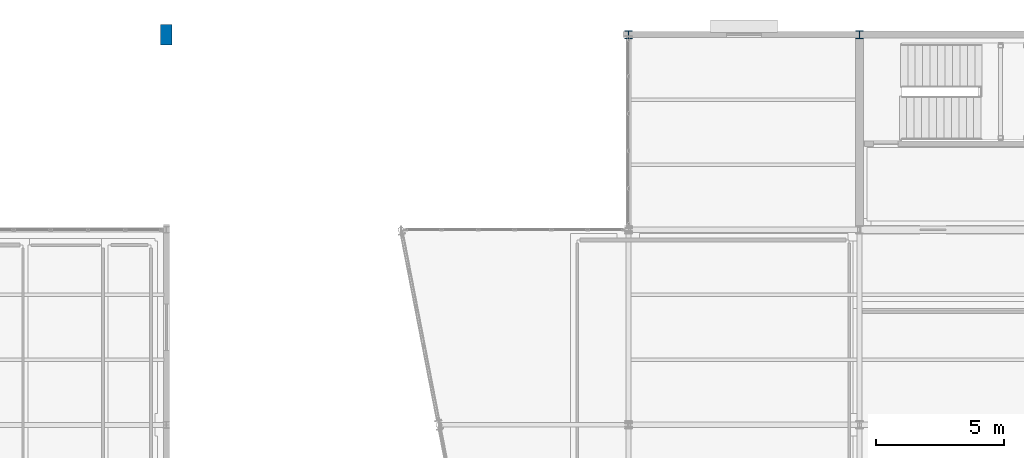
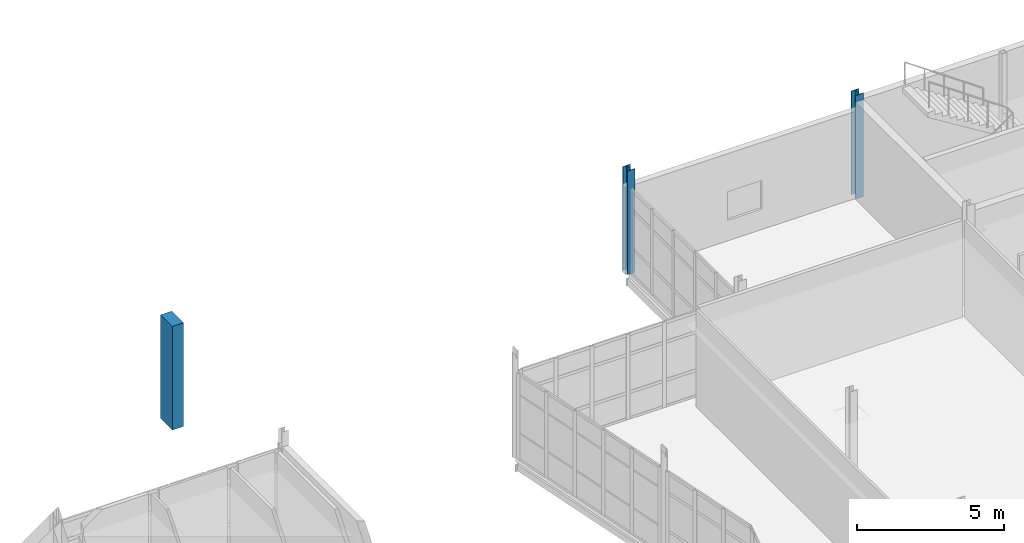
# One storey, part 18 of 166: 3 columns.
"""IFC4 building model written with IfcOpenShell, lengths in metres."""

from ifc_helpers import new_model, si_unit, direction, frame, origin, origin_2d, place, context, subcontext, project, spatial, rectangle, i_section, extrude, material, material_profile, profile_set, type_object, element, save


model = new_model("IFC4")

# Units and contexts
model_context = context("Model", 3, precision=1e-05, world=origin(), true_north=direction((0.0, 1.0)))
body_context = subcontext(model_context, "Body", "Model", "MODEL_VIEW")
ifc_project = project(units=[si_unit("LENGTHUNIT", "METRE"), si_unit("AREAUNIT", "SQUARE_METRE"), si_unit("VOLUMEUNIT", "CUBIC_METRE"), si_unit("PLANEANGLEUNIT", "RADIAN"), si_unit("MASSUNIT", "GRAM", prefix="KILO")], contexts=[model_context])

# Site, building, storey
site_placement = place(None, origin())
site = spatial("IfcSite", under=ifc_project, at=site_placement, CompositionType="ELEMENT")
building_placement = place(site_placement, origin())
building = spatial("IfcBuilding", under=site, at=building_placement, Name="Caisbarro Railhouse Central Library", CompositionType="ELEMENT")
storey_placement = place(building_placement, frame((0.0, 0.0, 9.360107421875)))
storey = spatial("IfcBuildingStorey", under=building, at=storey_placement, Name="L02", CompositionType="ELEMENT", Elevation=9.360107421875)

# Columns
ifc_material_1 = material(Name="Steel ASTM A572 Grade 50", Category="steel")
ifc_material_profile_1 = material_profile(ifc_material_1, i_section(OverallWidth=0.305908203125, OverallDepth=0.31103515625, WebThickness=0.010986328125, FlangeThickness=0.01708984375, FilletRadius=0.014892578125, at=origin_2d()), Name="W310X107.0")
ifc_profile_set_1 = profile_set([ifc_material_profile_1], Name="Steel ASTM A572 Grade 50")
column_type_1 = type_object("IfcColumnType", Name="COL-C06", PredefinedType="COLUMN", material=ifc_profile_set_1)
for number, where, z_axis, x_axis, name in (
    (1, (117.0, 114.0, 0.0), (0.0, 0.0, 1.0), (1.0, 0.0, 0.0), "C06 column L02 (117.0,114.0)"),
    (2, (126.0, 114.0, 0.0), (0.0, 0.0, 1.0), (1.0, 0.0, 0.0), "C06 column L02 (126.0,114.0)"),
):
    element("IfcColumn", number, at=place(storey_placement, frame(where, z_axis=z_axis, x_axis=x_axis)), inside=storey, type_object=column_type_1, Name=name, PredefinedType="COLUMN", context=body_context, shape_type="SweptSolid", body=[
        extrude(i_section(OverallWidth=0.305908203125, OverallDepth=0.31103515625, WebThickness=0.010986328125, FlangeThickness=0.01708984375, FilletRadius=0.014892578125, at=origin_2d()), origin(), (0.0, 0.0, 1.0), 4.31982421875),
    ])
ifc_material_2 = material(Name="Concrete C40", Category="concrete")
ifc_material_profile_2 = material_profile(ifc_material_2, rectangle(XDim=0.449951171875, YDim=0.800048828125, at=origin_2d()), Name="RC-PIL-450X800")
ifc_profile_set_2 = profile_set([ifc_material_profile_2], Name="Concrete C40")
column_type_2 = type_object("IfcColumnType", Name="PIL-P01", PredefinedType="PILASTER", material=ifc_profile_set_2)
column_placement = place(storey_placement, frame((99.0, 114.0, 0.0), z_axis=(0.0, 0.0, 1.0), x_axis=(1.0, 0.0, 0.0)))
element("IfcColumn", 3, at=column_placement, inside=storey, type_object=column_type_2, Name="PL01 column L02 (99.0,114.0)", PredefinedType="PILASTER", context=body_context, shape_type="SweptSolid", body=[
    extrude(rectangle(XDim=0.449951171875, YDim=0.800048828125, at=origin_2d()), origin(), (0.0, 0.0, 1.0), 4.31982421875),
])

save(model, "model.ifc")
